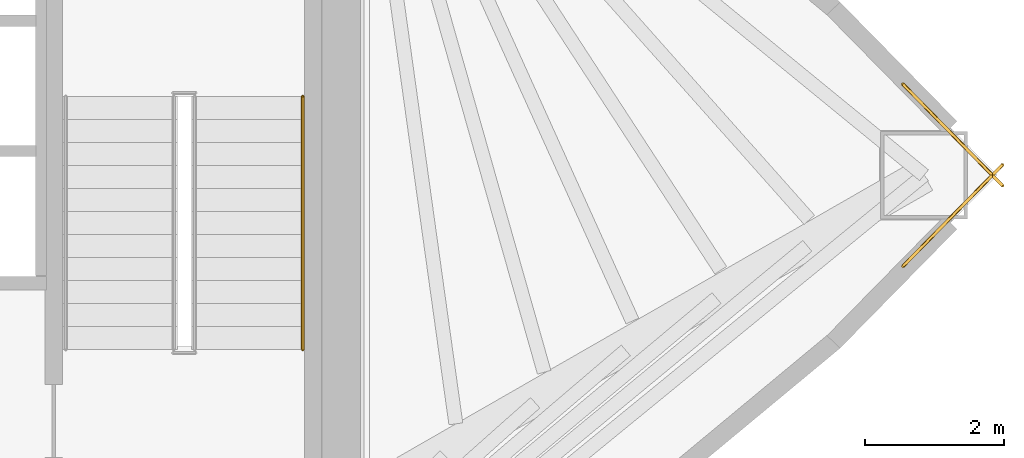
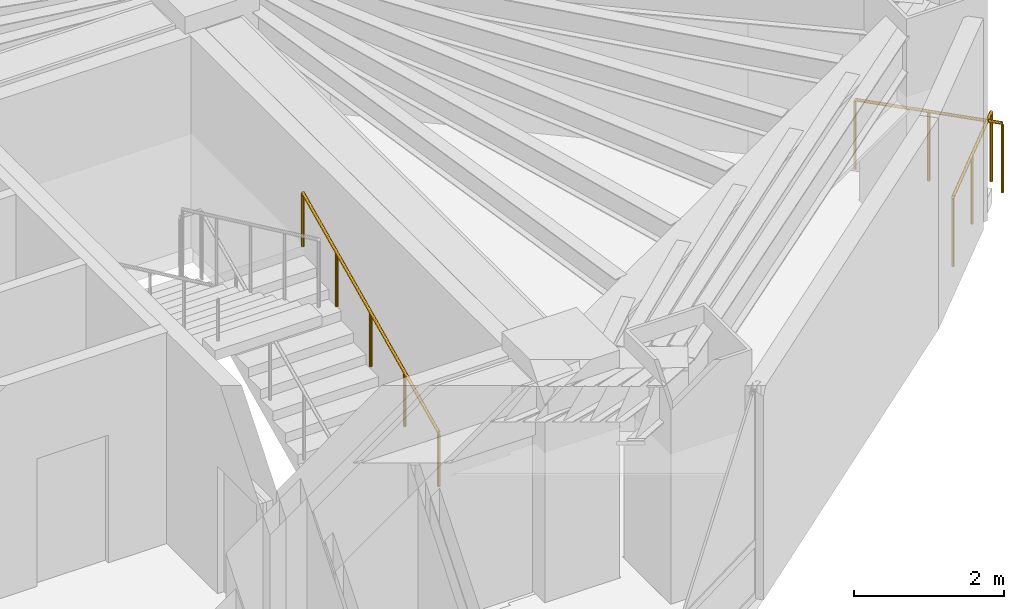
# One storey, part 17 of 17: 3 railings.
"""IFC4 building model written with IfcOpenShell, lengths in metres."""

from ifc_helpers import new_model, si_unit, direction, frame, origin, origin_2d, place, context, subcontext, project, spatial, circle, extrude, material, type_object, element, save


model = new_model("IFC4")

# Units and contexts
model_context = context("Model", 3, precision=1e-05, world=origin(), true_north=direction((0.0, 1.0)))
body_context = subcontext(model_context, "Body", "Model", "MODEL_VIEW")
ifc_project = project(units=[si_unit("LENGTHUNIT", "METRE"), si_unit("AREAUNIT", "SQUARE_METRE"), si_unit("VOLUMEUNIT", "CUBIC_METRE"), si_unit("PLANEANGLEUNIT", "RADIAN"), si_unit("MASSUNIT", "GRAM", prefix="KILO")], contexts=[model_context])

# Site, building, storey
site_placement = place(None, origin())
site = spatial("IfcSite", under=ifc_project, at=site_placement, CompositionType="ELEMENT")
building_placement = place(site_placement, origin())
building = spatial("IfcBuilding", under=site, at=building_placement, Name="Menara Vayukalpa", CompositionType="ELEMENT")
storey_placement = place(building_placement, frame((0.0, 0.0, 100.260009765625)))
storey = spatial("IfcBuildingStorey", under=building, at=storey_placement, Name="L24", CompositionType="ELEMENT", Elevation=100.260009765625)

# Railings
ifc_material_1 = material(Name="Laminated Glass and Stainless Steel 316 Guardrail", Category="steel")
railing_type_1 = type_object("IfcRailingType", Name="RLG-EXT115", PredefinedType="GUARDRAIL", material=ifc_material_1)
railing_1_placement = place(storey_placement, frame((41.458740234375, 20.693115234375, 0.0)))
element("IfcRailing", 1, at=railing_1_placement, inside=storey, type_object=railing_type_1, Name="L24 Column Corner Spandrel Guardrail 01-1", PredefinedType="GUARDRAIL", context=body_context, shape_type="SweptSolid", body=[
    extrude(circle(Radius=0.02392578125, at=origin_2d()), frame((0.0, 0.0, 1.1259765625), z_axis=(0.700555740742, 0.713597683652, 0.0), x_axis=(-0.713597683652, 0.700555740742, 0.0)), (0.0, 0.0, 1.0), 2.04052734375),
    extrude(circle(Radius=0.02099609375, at=origin_2d()), origin(), (0.0, 0.0, 1.0), 1.101806640625),
    extrude(circle(Radius=0.02099609375, at=origin_2d()), frame((0.71484375, 0.72802734375, 0.0)), (0.0, 0.0, 1.0), 1.101806640625),
    extrude(circle(Radius=0.02099609375, at=origin_2d()), frame((1.429443359375, 1.4560546875, 0.0)), (0.0, 0.0, 1.0), 1.101806640625),
])
railing_2_placement = place(storey_placement, frame((42.88818359375, 21.850830078125, 0.0)))
element("IfcRailing", 2, at=railing_2_placement, inside=storey, type_object=railing_type_1, Name="L24 Column Corner Spandrel Guardrail 02-1", PredefinedType="GUARDRAIL", context=body_context, shape_type="SweptSolid", body=[
    extrude(circle(Radius=0.02392578125, at=origin_2d()), frame((0.0, 0.0, 1.1259765625), z_axis=(-0.700555740742, 0.713597683652, 0.0), x_axis=(-0.713597683652, -0.700555740742, 0.0)), (0.0, 0.0, 1.0), 2.04052734375),
    extrude(circle(Radius=0.02099609375, at=origin_2d()), origin(), (0.0, 0.0, 1.0), 1.101806640625),
    extrude(circle(Radius=0.02099609375, at=origin_2d()), frame((-0.71484375, 0.72802734375, 0.0)), (0.0, 0.0, 1.0), 1.101806640625),
    extrude(circle(Radius=0.02099609375, at=origin_2d()), frame((-1.429443359375, 1.4560546875, 0.0)), (0.0, 0.0, 1.0), 1.101806640625),
])
ifc_material_2 = material(Name="Stainless Steel 316 Tubular Handrail", Category="steel")
railing_type_2 = type_object("IfcRailingType", Name="RLG-STH090", PredefinedType="HANDRAIL", material=ifc_material_2)
railing_3_placement = place(storey_placement, frame((32.85009765625, 19.5, 0.155029296875)))
element("IfcRailing", 3, at=railing_3_placement, inside=storey, type_object=railing_type_2, Name="L24 ST-2 stair handrail 1", PredefinedType="HANDRAIL", context=body_context, shape_type="SweptSolid", body=[
    extrude(circle(Radius=0.02392578125, at=origin_2d()), frame((0.0, 0.0, 0.8759765625), z_axis=(0.0, 0.90511648382, 0.425163675209), x_axis=(-1.0, 0.0, 0.0)), (0.0, 0.0, 1.0), 4.010498046875),
    extrude(circle(Radius=0.02099609375, at=origin_2d()), origin(), (0.0, 0.0, 1.0), 0.851806640625),
    extrude(circle(Radius=0.02099609375, at=origin_2d()), frame((0.0, 0.907470703125, 0.42626953125)), (0.0, 0.0, 1.0), 0.851806640625),
    extrude(circle(Radius=0.02099609375, at=origin_2d()), frame((0.0, 1.81494140625, 0.8525390625)), (0.0, 0.0, 1.0), 0.851806640625),
    extrude(circle(Radius=0.02099609375, at=origin_2d()), frame((0.0, 2.722412109375, 1.27880859375)), (0.0, 0.0, 1.0), 0.851806640625),
    extrude(circle(Radius=0.02099609375, at=origin_2d()), frame((0.0, 3.6298828125, 1.705078125)), (0.0, 0.0, 1.0), 0.851806640625),
])

save(model, "model.ifc")
